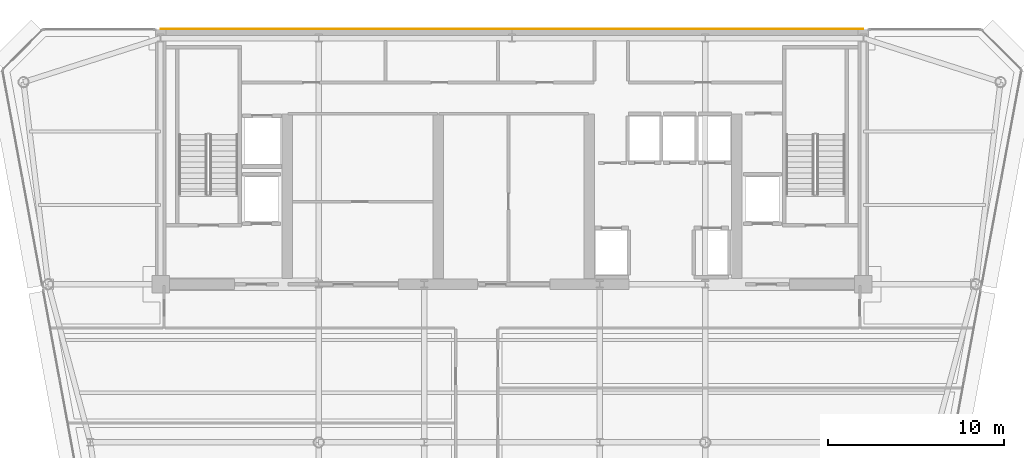
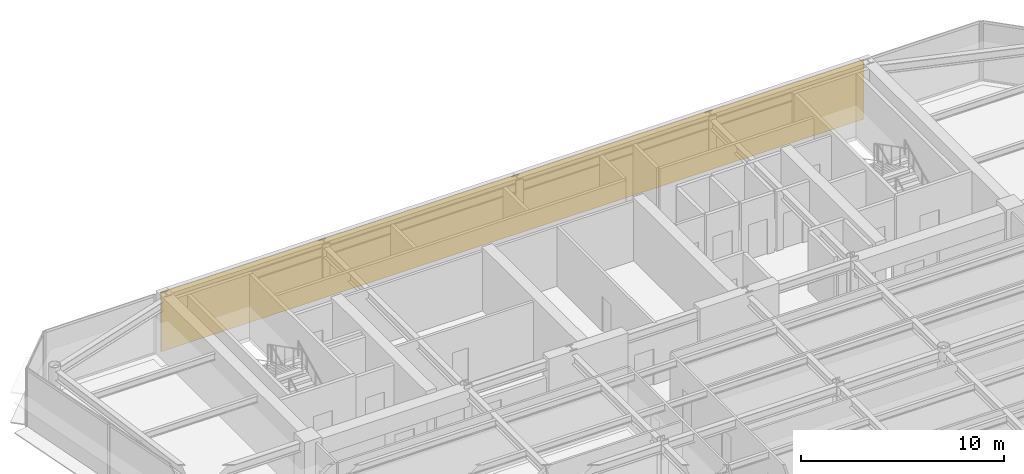
# One storey, part 15 of 16: 1 covering.
"""IFC4 building model written with IfcOpenShell, lengths in metres."""

from ifc_helpers import new_model, si_unit, direction, frame, origin, place, context, subcontext, project, spatial, polyline, outline, extrude, material, layer, layer_set, type_object, element, save


model = new_model("IFC4")

# Units and contexts
model_context = context("Model", 3, precision=1e-05, world=origin(), true_north=direction((0.0, 1.0)))
body_context = subcontext(model_context, "Body", "Model", "MODEL_VIEW")
ifc_project = project(units=[si_unit("LENGTHUNIT", "METRE"), si_unit("AREAUNIT", "SQUARE_METRE"), si_unit("VOLUMEUNIT", "CUBIC_METRE"), si_unit("PLANEANGLEUNIT", "RADIAN"), si_unit("MASSUNIT", "GRAM", prefix="KILO")], contexts=[model_context])

# Site, building, storey
site_placement = place(None, origin())
site = spatial("IfcSite", under=ifc_project, at=site_placement, CompositionType="ELEMENT")
building_placement = place(site_placement, origin())
building = spatial("IfcBuilding", under=site, at=building_placement, Name="Vaeldorn Concourse Tower", CompositionType="ELEMENT")
storey_placement = place(building_placement, frame((0.0, 0.0, 227.0)))
storey = spatial("IfcBuildingStorey", under=building, at=storey_placement, Name="L58", CompositionType="ELEMENT", Elevation=227.0)

# Covering
ifc_material = material(Name="Anodised Bronze Aluminium", Category="aluminium")
ifc_layer = layer(ifc_material, 0.050048828125)
ifc_layer_set = layer_set([ifc_layer], Name="Anodised Bronze Aluminium")
covering_type = type_object("IfcCoveringType", Name="COV-CLAD-BRONZE", PredefinedType="CLADDING", material=ifc_layer_set)
covering_placement = place(storey_placement, origin())
element("IfcCovering", 1, at=covering_placement, inside=storey, type_object=covering_type, Name="Rear Core Bronze Spandrel Cladding L58", PredefinedType="CLADDING", context=body_context, shape_type="SweptSolid", body=[
    extrude(outline(polyline([(14.0, 51.0), (54.0, 51.0), (54.0, 51.050048828125), (14.0, 51.050048828125), (14.0, 51.0)])), origin(), (0.0, 0.0, 1.0), 3.580078125),
])

save(model, "model.ifc")
